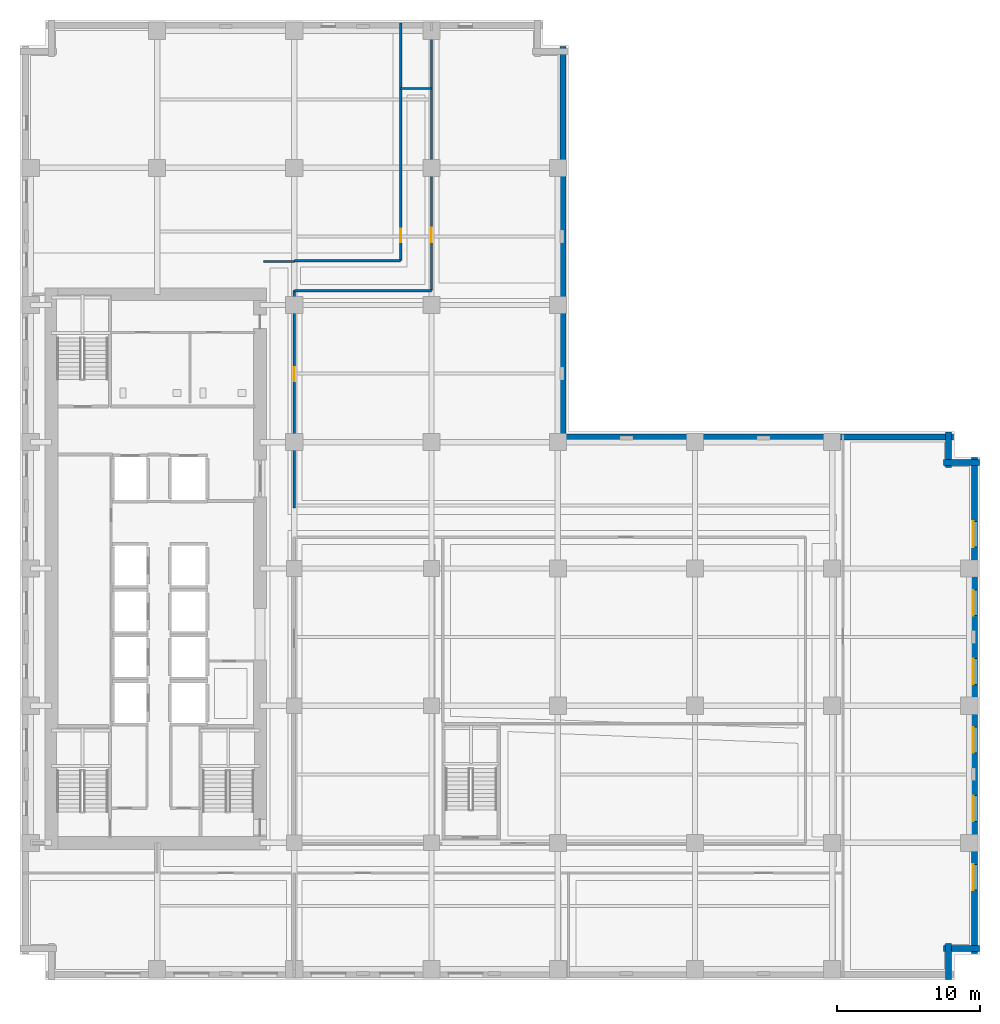
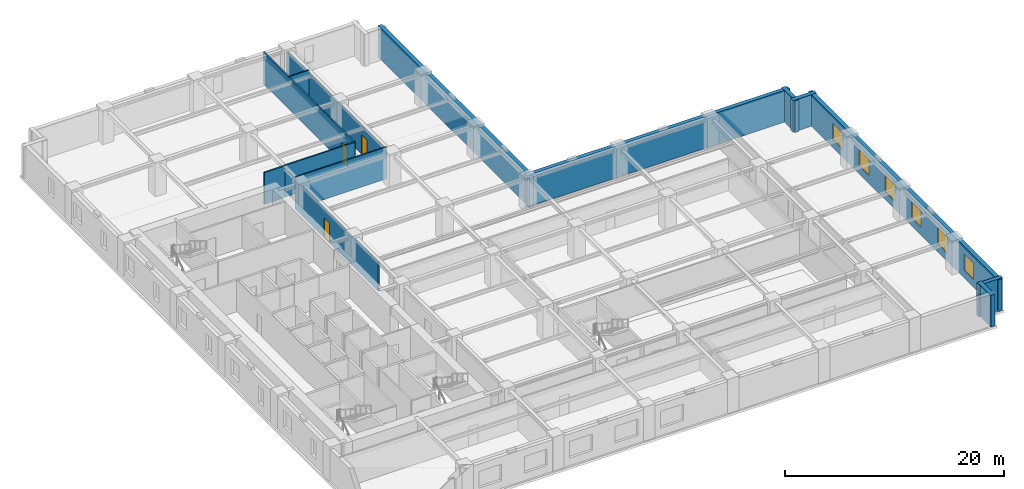
# One storey, part 7 of 13: 14 walls, 6 windows, 3 doors, 9 openings.
"""IFC4 building model written with IfcOpenShell, lengths in metres."""

from ifc_helpers import new_model, si_unit, direction, frame, frame_2d, origin, place, context, subcontext, project, spatial, rectangle, extrude, material, layer, layer_set, type_object, element, fill, save


model = new_model("IFC4")

# Units and contexts
model_context = context("Model", 3, precision=1e-05, world=origin(), true_north=direction((0.0, 1.0)))
body_context = subcontext(model_context, "Body", "Model", "MODEL_VIEW")
ifc_project = project(units=[si_unit("LENGTHUNIT", "METRE"), si_unit("AREAUNIT", "SQUARE_METRE"), si_unit("VOLUMEUNIT", "CUBIC_METRE"), si_unit("PLANEANGLEUNIT", "RADIAN"), si_unit("MASSUNIT", "GRAM", prefix="KILO")], contexts=[model_context])

# Site, building, storey
site_placement = place(None, origin())
site = spatial("IfcSite", under=ifc_project, at=site_placement, CompositionType="ELEMENT")
building_placement = place(site_placement, origin())
building = spatial("IfcBuilding", under=site, at=building_placement, Name="Norrvale University Quadrangle", CompositionType="ELEMENT")
storey_placement = place(building_placement, frame((0.0, 0.0, 47.0)))
storey = spatial("IfcBuildingStorey", under=building, at=storey_placement, Name="L11", CompositionType="ELEMENT", Elevation=47.0)

# Walls
ifc_material_1 = material(Name="Buff Norman Clay Brick Masonry", Category="masonry")
ifc_layer_1 = layer(ifc_material_1, 0.419921875, Name="Buff Norman Clay Brick Masonry")
ifc_layer_set_1 = layer_set([ifc_layer_1], Name="Buff Norman Clay Brick Masonry")
wall_type_1 = type_object("IfcWallType", Name="Wall Buff Brick 420", PredefinedType="SOLIDWALL", material=ifc_layer_set_1)
for number, where, z_axis, x_axis, name in (
    (1, (65.010009765625, 0.0400390625, 0.0), (0.0, 0.0, 1.0), (0.0, 1.0, 0.0), "Exterior Brick Facade Wall L11-02.1"),
    (2, (64.659912109375, 2.18994140625, 0.0), (0.0, 0.0, 1.0), (1.0, 0.0, 0.0), "Exterior Brick Facade Wall L11-03.1"),
):
    element("IfcWall", number, at=place(storey_placement, frame(where, z_axis=z_axis, x_axis=x_axis)), inside=storey, type_object=wall_type_1, Name=name, PredefinedType="SOLIDWALL", context=body_context, shape_type="SweptSolid", body=[
        extrude(rectangle(XDim=2.5, YDim=0.419921875, at=frame_2d((1.25, 0.0))), origin(), (0.0, 0.0, 1.0), 3.5400390625),
    ])

# Wall, openings, windows
wall_1_placement = place(storey_placement, frame((66.81005859375, 1.840087890625, 0.0), z_axis=(0.0, 0.0, 1.0), x_axis=(0.0, 1.0, 0.0)))
wall_1 = element("IfcWall", 3, at=wall_1_placement, inside=storey, type_object=wall_type_1, Name="Exterior Brick Facade Wall L11-04.1", PredefinedType="SOLIDWALL", context=body_context, shape_type="SweptSolid", body=[
    extrude(rectangle(XDim=34.719970703125, YDim=0.419921875, at=frame_2d((17.35986328125, 0.0))), origin(), (0.0, 0.0, 1.0), 3.5400390625),
])
opening_1_placement = place(wall_1_placement, frame((4.4599609375, 0.0, 0.85009765625)))
opening_1 = element("IfcOpeningElement", 4, at=opening_1_placement, cuts=wall_1, Name="Opening W01", PredefinedType="OPENING", context=body_context, shape_type="SweptSolid", body=[
    extrude(rectangle(XDim=1.800048828125, YDim=1.85009765625, at=frame_2d((0.89990234375, 0.925048828125))), frame((0.0, 0.221923828125, 0.0), z_axis=(0.0, -1.0, 0.0), x_axis=(1.0, 0.0, 0.0)), (0.0, 0.0, 1.0), 0.44384765625),
])
opening_2_placement = place(wall_1_placement, frame((9.260009765625, 0.0, 0.85009765625)))
opening_2 = element("IfcOpeningElement", 5, at=opening_2_placement, cuts=wall_1, Name="Opening W01", PredefinedType="OPENING", context=body_context, shape_type="SweptSolid", body=[
    extrude(rectangle(XDim=1.800048828125, YDim=1.85009765625, at=frame_2d((0.89990234375, 0.925048828125))), frame((0.0, 0.221923828125, 0.0), z_axis=(0.0, -1.0, 0.0), x_axis=(1.0, 0.0, 0.0)), (0.0, 0.0, 1.0), 0.44384765625),
])
opening_3_placement = place(wall_1_placement, frame((14.06005859375, 0.0, 0.85009765625)))
opening_3 = element("IfcOpeningElement", 6, at=opening_3_placement, cuts=wall_1, Name="Opening W01", PredefinedType="OPENING", context=body_context, shape_type="SweptSolid", body=[
    extrude(rectangle(XDim=1.800048828125, YDim=1.85009765625, at=frame_2d((0.89990234375, 0.925048828125))), frame((0.0, 0.221923828125, 0.0), z_axis=(0.0, -1.0, 0.0), x_axis=(1.0, 0.0, 0.0)), (0.0, 0.0, 1.0), 0.44384765625),
])
opening_4_placement = place(wall_1_placement, frame((18.860107421875, 0.0, 0.85009765625)))
opening_4 = element("IfcOpeningElement", 7, at=opening_4_placement, cuts=wall_1, Name="Opening W01", PredefinedType="OPENING", context=body_context, shape_type="SweptSolid", body=[
    extrude(rectangle(XDim=1.800048828125, YDim=1.85009765625, at=frame_2d((0.89990234375, 0.925048828125))), frame((0.0, 0.221923828125, 0.0), z_axis=(0.0, -1.0, 0.0), x_axis=(1.0, 0.0, 0.0)), (0.0, 0.0, 1.0), 0.44384765625),
])
opening_5_placement = place(wall_1_placement, frame((23.659912109375, 0.0, 0.85009765625)))
opening_5 = element("IfcOpeningElement", 8, at=opening_5_placement, cuts=wall_1, Name="Opening W01", PredefinedType="OPENING", context=body_context, shape_type="SweptSolid", body=[
    extrude(rectangle(XDim=1.800048828125, YDim=1.85009765625, at=frame_2d((0.89990234375, 0.925048828125))), frame((0.0, 0.221923828125, 0.0), z_axis=(0.0, -1.0, 0.0), x_axis=(1.0, 0.0, 0.0)), (0.0, 0.0, 1.0), 0.44384765625),
])
opening_6_placement = place(wall_1_placement, frame((28.4599609375, 0.0, 0.85009765625)))
opening_6 = element("IfcOpeningElement", 9, at=opening_6_placement, cuts=wall_1, Name="Opening W01", PredefinedType="OPENING", context=body_context, shape_type="SweptSolid", body=[
    extrude(rectangle(XDim=1.800048828125, YDim=1.85009765625, at=frame_2d((0.89990234375, 0.925048828125))), frame((0.0, 0.221923828125, 0.0), z_axis=(0.0, -1.0, 0.0), x_axis=(1.0, 0.0, 0.0)), (0.0, 0.0, 1.0), 0.44384765625),
])
ifc_material_2 = material(Name="Triple Low-E Argon Glazing", Category="glass")
window_type = type_object("IfcWindowType", Name="Window Academic 1800x2300", PartitioningType="DOUBLE_PANEL_VERTICAL", PredefinedType="WINDOW", material=ifc_material_2)
window_1_placement = place(opening_1_placement, origin())
window_1 = element("IfcWindow", 10, at=window_1_placement, inside=storey, type_object=window_type, Name="Window Academic 1800x2300 WIN-L11-E04-1-01", OverallHeight=1.85009765625, OverallWidth=1.800048828125, PartitioningType="DOUBLE_PANEL_VERTICAL", PredefinedType="WINDOW", context=body_context, shape_type="SweptSolid", body=[
    extrude(rectangle(XDim=1.800048828125, YDim=1.85009765625, at=frame_2d((0.89990234375, 0.925048828125))), frame((0.0, 0.110107421875, 0.0), z_axis=(0.0, -1.0, 0.0), x_axis=(1.0, 0.0, 0.0)), (0.0, 0.0, 1.0), 0.06005859375),
])
fill(opening_1, window_1)
window_2_placement = place(opening_2_placement, origin())
window_2 = element("IfcWindow", 11, at=window_2_placement, inside=storey, type_object=window_type, Name="Window Academic 1800x2300 WIN-L11-E04-1-02", OverallHeight=1.85009765625, OverallWidth=1.800048828125, PartitioningType="DOUBLE_PANEL_VERTICAL", PredefinedType="WINDOW", context=body_context, shape_type="SweptSolid", body=[
    extrude(rectangle(XDim=1.800048828125, YDim=1.85009765625, at=frame_2d((0.89990234375, 0.925048828125))), frame((0.0, 0.110107421875, 0.0), z_axis=(0.0, -1.0, 0.0), x_axis=(1.0, 0.0, 0.0)), (0.0, 0.0, 1.0), 0.06005859375),
])
fill(opening_2, window_2)
window_3_placement = place(opening_3_placement, origin())
window_3 = element("IfcWindow", 12, at=window_3_placement, inside=storey, type_object=window_type, Name="Window Academic 1800x2300 WIN-L11-E04-1-03", OverallHeight=1.85009765625, OverallWidth=1.800048828125, PartitioningType="DOUBLE_PANEL_VERTICAL", PredefinedType="WINDOW", context=body_context, shape_type="SweptSolid", body=[
    extrude(rectangle(XDim=1.800048828125, YDim=1.85009765625, at=frame_2d((0.89990234375, 0.925048828125))), frame((0.0, 0.110107421875, 0.0), z_axis=(0.0, -1.0, 0.0), x_axis=(1.0, 0.0, 0.0)), (0.0, 0.0, 1.0), 0.06005859375),
])
fill(opening_3, window_3)
window_4_placement = place(opening_4_placement, origin())
window_4 = element("IfcWindow", 13, at=window_4_placement, inside=storey, type_object=window_type, Name="Window Academic 1800x2300 WIN-L11-E04-1-04", OverallHeight=1.85009765625, OverallWidth=1.800048828125, PartitioningType="DOUBLE_PANEL_VERTICAL", PredefinedType="WINDOW", context=body_context, shape_type="SweptSolid", body=[
    extrude(rectangle(XDim=1.800048828125, YDim=1.85009765625, at=frame_2d((0.89990234375, 0.925048828125))), frame((0.0, 0.110107421875, 0.0), z_axis=(0.0, -1.0, 0.0), x_axis=(1.0, 0.0, 0.0)), (0.0, 0.0, 1.0), 0.06005859375),
])
fill(opening_4, window_4)
window_5_placement = place(opening_5_placement, origin())
window_5 = element("IfcWindow", 14, at=window_5_placement, inside=storey, type_object=window_type, Name="Window Academic 1800x2300 WIN-L11-E04-1-05", OverallHeight=1.85009765625, OverallWidth=1.800048828125, PartitioningType="DOUBLE_PANEL_VERTICAL", PredefinedType="WINDOW", context=body_context, shape_type="SweptSolid", body=[
    extrude(rectangle(XDim=1.800048828125, YDim=1.85009765625, at=frame_2d((0.89990234375, 0.925048828125))), frame((0.0, 0.110107421875, 0.0), z_axis=(0.0, -1.0, 0.0), x_axis=(1.0, 0.0, 0.0)), (0.0, 0.0, 1.0), 0.06005859375),
])
fill(opening_5, window_5)
window_6_placement = place(opening_6_placement, origin())
window_6 = element("IfcWindow", 15, at=window_6_placement, inside=storey, type_object=window_type, Name="Window Academic 1800x2300 WIN-L11-E04-1-06", OverallHeight=1.85009765625, OverallWidth=1.800048828125, PartitioningType="DOUBLE_PANEL_VERTICAL", PredefinedType="WINDOW", context=body_context, shape_type="SweptSolid", body=[
    extrude(rectangle(XDim=1.800048828125, YDim=1.85009765625, at=frame_2d((0.89990234375, 0.925048828125))), frame((0.0, 0.110107421875, 0.0), z_axis=(0.0, -1.0, 0.0), x_axis=(1.0, 0.0, 0.0)), (0.0, 0.0, 1.0), 0.06005859375),
])
fill(opening_6, window_6)

# Walls
for number, where, z_axis, x_axis, name in (
    (16, (67.159912109375, 36.2099609375, 0.0), (0.0, 0.0, 1.0), (-1.0, 0.0, 0.0), "Exterior Brick Facade Wall L11-05.1"),
    (17, (65.010009765625, 35.860107421875, 0.0), (0.0, 0.0, 1.0), (0.0, 1.0, 0.0), "Exterior Brick Facade Wall L11-06.1"),
):
    element("IfcWall", number, at=place(storey_placement, frame(where, z_axis=z_axis, x_axis=x_axis)), inside=storey, type_object=wall_type_1, Name=name, PredefinedType="SOLIDWALL", context=body_context, shape_type="SweptSolid", body=[
        extrude(rectangle(XDim=2.5, YDim=0.419921875, at=frame_2d((1.25, 0.0))), origin(), (0.0, 0.0, 1.0), 3.5400390625),
    ])
for number, where, z_axis, x_axis, name in (
    (18, (65.360107421875, 38.010009765625, 0.0), (0.0, 0.0, 1.0), (-1.0, 0.0, 0.0), "Exterior Brick Facade Wall L11-07.1"),
    (19, (38.010009765625, 37.659912109375, 0.0), (0.0, 0.0, 1.0), (0.0, 1.0, 0.0), "Exterior Brick Facade Wall L11-08.1"),
):
    element("IfcWall", number, at=place(storey_placement, frame(where, z_axis=z_axis, x_axis=x_axis)), inside=storey, type_object=wall_type_1, Name=name, PredefinedType="SOLIDWALL", context=body_context, shape_type="SweptSolid", body=[
        extrude(rectangle(XDim=27.7001953125, YDim=0.419921875, at=frame_2d((13.85009765625, 0.0))), origin(), (0.0, 0.0, 1.0), 3.5400390625),
    ])
ifc_material_3 = material(Name="Fire-Rated Gypsum Stud Partition")
ifc_layer_2 = layer(ifc_material_3, 0.14990234375, Name="Fire-Rated Gypsum Stud Partition")
ifc_layer_set_2 = layer_set([ifc_layer_2], Name="Fire-Rated Gypsum Stud Partition")
wall_type_2 = type_object("IfcWallType", Name="Wall Gypsum Corridor 150", PredefinedType="PARTITIONING", material=ifc_layer_set_2)
wall_2_placement = place(storey_placement, frame((17.050048828125, 50.300048828125, 0.0), z_axis=(0.0, 0.0, 1.0), x_axis=(1.0, 0.0, 0.0)))
element("IfcWall", 20, at=wall_2_placement, inside=storey, type_object=wall_type_2, Name="Interior Partition WL-L11-CN-END", PredefinedType="PARTITIONING", context=body_context, shape_type="SweptSolid", body=[
    extrude(rectangle(XDim=2.14990234375, YDim=0.14990234375, at=frame_2d((1.074951171875, 0.0))), origin(), (0.0, 0.0, 1.0), 3.5400390625),
])

# Wall, opening, door
wall_3_placement = place(storey_placement, frame((19.199951171875, 33.050048828125, 0.0), z_axis=(0.0, 0.0, 1.0), x_axis=(0.0, 1.0, 0.0)))
wall_3 = element("IfcWall", 21, at=wall_3_placement, inside=storey, type_object=wall_type_2, Name="Interior Partition WL-L11-MNECW", PredefinedType="PARTITIONING", context=body_context, shape_type="SweptSolid", body=[
    extrude(rectangle(XDim=15.199951171875, YDim=0.14990234375, at=frame_2d((7.60009765625, 0.0))), origin(), (0.0, 0.0, 1.0), 3.18408203125),
])
opening_7_placement = place(wall_3_placement, frame((8.85009765625, 0.0, 0.0)))
opening_7 = element("IfcOpeningElement", 22, at=opening_7_placement, cuts=wall_3, Name="Opening D04", PredefinedType="OPENING", context=body_context, shape_type="SweptSolid", body=[
    extrude(rectangle(XDim=1.0, YDim=2.199951171875, at=frame_2d((0.5, 1.10009765625))), frame((0.0, 0.0869140625, 0.0), z_axis=(0.0, -1.0, 0.0), x_axis=(1.0, 0.0, 0.0)), (0.0, 0.0, 1.0), 0.173828125),
])
ifc_material_4 = material(Name="Solid-Core Oak Fire Door", Category="wood")
door_type_1 = type_object("IfcDoorType", Name="Door Corridor 1000x2200", OperationType="NOTDEFINED", PredefinedType="DOOR", material=ifc_material_4)
door_1_placement = place(opening_7_placement, origin())
door_1 = element("IfcDoor", 23, at=door_1_placement, inside=storey, type_object=door_type_1, Name="Door Corridor 1000x2200 DR-L11-MNE01", OperationType="SINGLE_SWING_RIGHT", OverallHeight=2.199951171875, OverallWidth=1.0, PredefinedType="DOOR", context=body_context, shape_type="SweptSolid", body=[
    extrude(rectangle(XDim=1.0, YDim=2.199951171875, at=frame_2d((0.5, 1.10009765625))), frame((0.0, 0.02490234375, 0.0), z_axis=(0.0, -1.0, 0.0), x_axis=(1.0, 0.0, 0.0)), (0.0, 0.0, 1.0), 0.050048828125),
])
fill(opening_7, door_1)

# Walls
wall_4_placement = place(storey_placement, frame((19.199951171875, 48.25, 0.0), z_axis=(0.0, 0.0, 1.0), x_axis=(1.0, 0.0, 0.0)))
element("IfcWall", 24, at=wall_4_placement, inside=storey, type_object=wall_type_2, Name="Interior Partition WL-L11-JOGS", PredefinedType="PARTITIONING", context=body_context, shape_type="SweptSolid", body=[
    extrude(rectangle(XDim=9.60009765625, YDim=0.14990234375, at=frame_2d((4.800048828125, 0.0))), origin(), (0.0, 0.0, 1.0), 3.5400390625),
])
wall_5_placement = place(storey_placement, frame((19.199951171875, 50.35009765625, 0.0), z_axis=(0.0, 0.0, 1.0), x_axis=(1.0, 0.0, 0.0)))
element("IfcWall", 25, at=wall_5_placement, inside=storey, type_object=wall_type_2, Name="Interior Partition WL-L11-JOGN", PredefinedType="PARTITIONING", context=body_context, shape_type="SweptSolid", body=[
    extrude(rectangle(XDim=7.449951171875, YDim=0.14990234375, at=frame_2d((3.72509765625, 0.0))), origin(), (0.0, 0.0, 1.0), 3.5400390625),
])
wall_6_placement = place(storey_placement, frame((26.64990234375, 62.39990234375, 0.0), z_axis=(0.0, 0.0, 1.0), x_axis=(1.0, 0.0, 0.0)))
element("IfcWall", 26, at=wall_6_placement, inside=storey, type_object=wall_type_2, Name="Interior Partition WL-L11-JOGEND", PredefinedType="PARTITIONING", context=body_context, shape_type="SweptSolid", body=[
    extrude(rectangle(XDim=2.150146484375, YDim=0.14990234375, at=frame_2d((1.0751953125, 0.0))), origin(), (0.0, 0.0, 1.0), 3.5400390625),
])

# Wall, opening, door
wall_7_placement = place(storey_placement, frame((28.800048828125, 48.25, 0.0), z_axis=(0.0, 0.0, 1.0), x_axis=(0.0, 1.0, 0.0)))
wall_7 = element("IfcWall", 27, at=wall_7_placement, inside=storey, type_object=wall_type_2, Name="Interior Partition WL-L11-NECW", PredefinedType="PARTITIONING", context=body_context, shape_type="SweptSolid", body=[
    extrude(rectangle(XDim=18.199951171875, YDim=0.14990234375, at=frame_2d((9.10009765625, 0.0))), origin(), (0.0, 0.0, 1.0), 3.18408203125),
])
opening_8_placement = place(wall_7_placement, frame((3.39990234375, 0.0, 0.0)))
opening_8 = element("IfcOpeningElement", 28, at=opening_8_placement, cuts=wall_7, Name="Opening D04", PredefinedType="OPENING", context=body_context, shape_type="SweptSolid", body=[
    extrude(rectangle(XDim=1.0, YDim=2.199951171875, at=frame_2d((0.5, 1.10009765625))), frame((0.0, 0.0869140625, 0.0), z_axis=(0.0, -1.0, 0.0), x_axis=(1.0, 0.0, 0.0)), (0.0, 0.0, 1.0), 0.173828125),
])
door_2_placement = place(opening_8_placement, origin())
door_2 = element("IfcDoor", 29, at=door_2_placement, inside=storey, type_object=door_type_1, Name="Door Corridor 1000x2200 DR-L11-NE01", OperationType="SINGLE_SWING_RIGHT", OverallHeight=2.199951171875, OverallWidth=1.0, PredefinedType="DOOR", context=body_context, shape_type="SweptSolid", body=[
    extrude(rectangle(XDim=1.0, YDim=2.199951171875, at=frame_2d((0.5, 1.10009765625))), frame((0.0, 0.02490234375, 0.0), z_axis=(0.0, -1.0, 0.0), x_axis=(1.0, 0.0, 0.0)), (0.0, 0.0, 1.0), 0.050048828125),
])
fill(opening_8, door_2)

wall_8_placement = place(storey_placement, frame((26.64990234375, 50.35009765625, 0.0), z_axis=(0.0, 0.0, 1.0), x_axis=(0.0, 1.0, 0.0)))
wall_8 = element("IfcWall", 30, at=wall_8_placement, inside=storey, type_object=wall_type_2, Name="Interior Partition WL-L11-NWCW", PredefinedType="PARTITIONING", context=body_context, shape_type="SweptSolid", body=[
    extrude(rectangle(XDim=16.6298828125, YDim=0.14990234375, at=frame_2d((8.31494140625, 0.0))), origin(), (0.0, 0.0, 1.0), 3.5400390625),
])
opening_9_placement = place(wall_8_placement, frame((1.300048828125, 0.0, 0.0)))
opening_9 = element("IfcOpeningElement", 31, at=opening_9_placement, cuts=wall_8, Name="Opening D07", PredefinedType="OPENING", context=body_context, shape_type="SweptSolid", body=[
    extrude(rectangle(XDim=0.949951171875, YDim=2.14990234375, at=frame_2d((0.47509765625, 1.074951171875))), frame((0.0, 0.0869140625, 0.0), z_axis=(0.0, -1.0, 0.0), x_axis=(1.0, 0.0, 0.0)), (0.0, 0.0, 1.0), 0.173828125),
])
ifc_material_5 = material(Name="Solid-Core Maple Door", Category="wood")
door_type_2 = type_object("IfcDoorType", Name="Door Office 950x2150", OperationType="NOTDEFINED", PredefinedType="DOOR", material=ifc_material_5)
door_3_placement = place(opening_9_placement, origin())
door_3 = element("IfcDoor", 32, at=door_3_placement, inside=storey, type_object=door_type_2, Name="Door Office 950x2150 DR-L11-NW01", OperationType="SINGLE_SWING_RIGHT", OverallHeight=2.14990234375, OverallWidth=0.949951171875, PredefinedType="DOOR", context=body_context, shape_type="SweptSolid", body=[
    extrude(rectangle(XDim=0.949951171875, YDim=2.14990234375, at=frame_2d((0.47509765625, 1.074951171875))), frame((0.0, 0.02490234375, 0.0), z_axis=(0.0, -1.0, 0.0), x_axis=(1.0, 0.0, 0.0)), (0.0, 0.0, 1.0), 0.050048828125),
])
fill(opening_9, door_3)

save(model, "model.ifc")
